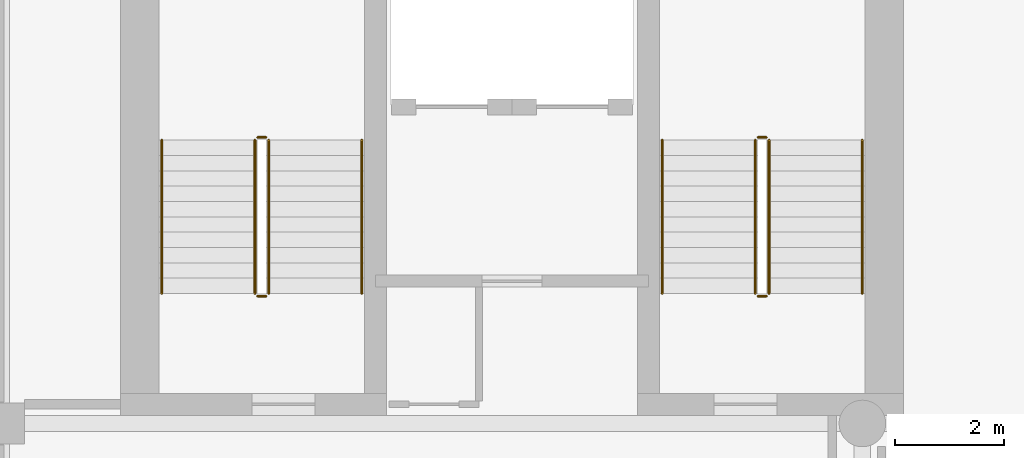
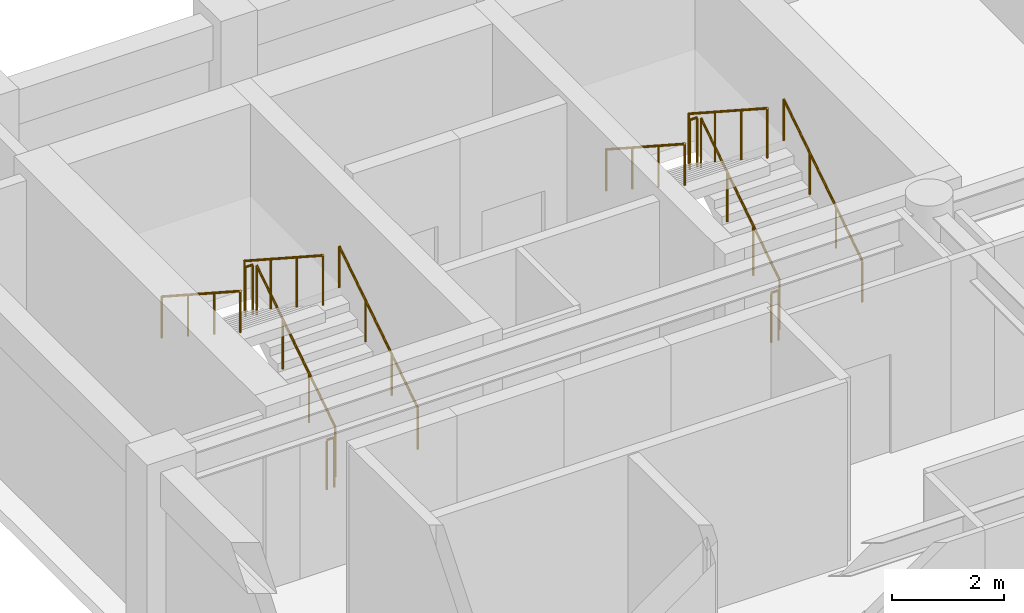
# One storey, part 7 of 8: 12 railings.
"""IFC4 building model written with IfcOpenShell, lengths in metres."""

from ifc_helpers import new_model, si_unit, direction, frame, origin, origin_2d, place, context, subcontext, project, spatial, circle, extrude, material, type_object, element, save


model = new_model("IFC4")

# Units and contexts
model_context = context("Model", 3, precision=1e-05, world=origin(), true_north=direction((0.0, 1.0)))
body_context = subcontext(model_context, "Body", "Model", "MODEL_VIEW")
ifc_project = project(units=[si_unit("LENGTHUNIT", "METRE"), si_unit("AREAUNIT", "SQUARE_METRE"), si_unit("VOLUMEUNIT", "CUBIC_METRE"), si_unit("PLANEANGLEUNIT", "RADIAN"), si_unit("MASSUNIT", "GRAM", prefix="KILO")], contexts=[model_context])

# Site, building, storey
site_placement = place(None, origin())
site = spatial("IfcSite", under=ifc_project, at=site_placement, CompositionType="ELEMENT")
building_placement = place(site_placement, origin())
building = spatial("IfcBuilding", under=site, at=building_placement, Name="Sulina Concourse Tower", CompositionType="ELEMENT")
storey_placement = place(building_placement, frame((0.0, 0.0, 222.60009765625)))
storey = spatial("IfcBuildingStorey", under=building, at=storey_placement, Name="L54", CompositionType="ELEMENT", Elevation=222.60009765625)

# Railings
ifc_material_1 = material(Name="Galvanised steel railing", Category="steel")
railing_type_1 = type_object("IfcRailingType", Name="Core Stair Steel Guardrail 1150mm", PredefinedType="GUARDRAIL", material=ifc_material_1)
railing_1_placement = place(storey_placement, frame((5.554931640625, 36.375, 0.181640625)))
element("IfcRailing", 1, at=railing_1_placement, inside=storey, type_object=railing_type_1, Name="L54 ST-1 stair guard 1", PredefinedType="GUARDRAIL", context=body_context, shape_type="SweptSolid", body=[
    extrude(circle(Radius=0.02392578125, at=origin_2d()), frame((0.0, 0.0, 1.076171875), z_axis=(0.0, 0.838672427954, 0.544636170843), x_axis=(-1.0, 0.0, 0.0)), (0.0, 0.0, 1.0), 3.338623046875),
    extrude(circle(Radius=0.02099609375, at=origin_2d()), origin(), (0.0, 0.0, 1.0), 1.052001953125),
    extrude(circle(Radius=0.02099609375, at=origin_2d()), frame((0.0, 0.933349609375, 0.606201171875)), (0.0, 0.0, 1.0), 1.052001953125),
    extrude(circle(Radius=0.02099609375, at=origin_2d()), frame((0.0, 1.86669921875, 1.212158203125)), (0.0, 0.0, 1.0), 1.052001953125),
    extrude(circle(Radius=0.02099609375, at=origin_2d()), frame((0.0, 2.800048828125, 1.818359375)), (0.0, 0.0, 1.0), 1.052001953125),
])
railing_2_placement = place(storey_placement, frame((5.5048828125, 39.22509765625, 2.0)))
element("IfcRailing", 2, at=railing_2_placement, inside=storey, type_object=railing_type_1, Name="L54 ST-1 stair guard 2", PredefinedType="GUARDRAIL", context=body_context, shape_type="SweptSolid", body=[
    extrude(circle(Radius=0.02392578125, at=origin_2d()), frame((0.0, 0.0, 1.076171875), z_axis=(-1.0, 0.0, 0.0), x_axis=(0.0, -1.0, 0.0)), (0.0, 0.0, 1.0), 0.14990234375),
    extrude(circle(Radius=0.02099609375, at=origin_2d()), origin(), (0.0, 0.0, 1.0), 1.052001953125),
    extrude(circle(Radius=0.02099609375, at=origin_2d()), frame((-0.14990234375, 0.0, 0.0)), (0.0, 0.0, 1.0), 1.052001953125),
])
railing_3_placement = place(storey_placement, frame((5.304931640625, 39.175048828125, 2.181640625)))
element("IfcRailing", 3, at=railing_3_placement, inside=storey, type_object=railing_type_1, Name="L54 ST-1 stair guard 3", PredefinedType="GUARDRAIL", context=body_context, shape_type="SweptSolid", body=[
    extrude(circle(Radius=0.02392578125, at=origin_2d()), frame((0.0, 0.0, 1.076171875), z_axis=(0.0, -0.838672427954, 0.544636170843), x_axis=(1.0, 0.0, 0.0)), (0.0, 0.0, 1.0), 3.338623046875),
    extrude(circle(Radius=0.02099609375, at=origin_2d()), origin(), (0.0, 0.0, 1.0), 1.052001953125),
    extrude(circle(Radius=0.02099609375, at=origin_2d()), frame((0.0, -0.933349609375, 0.606201171875)), (0.0, 0.0, 1.0), 1.052001953125),
    extrude(circle(Radius=0.02099609375, at=origin_2d()), frame((0.0, -1.86669921875, 1.212158203125)), (0.0, 0.0, 1.0), 1.052001953125),
    extrude(circle(Radius=0.02099609375, at=origin_2d()), frame((0.0, -2.800048828125, 1.818359375)), (0.0, 0.0, 1.0), 1.052001953125),
])
railing_4_placement = place(storey_placement, frame((5.5048828125, 36.324951171875, 0.0)))
element("IfcRailing", 4, at=railing_4_placement, inside=storey, type_object=railing_type_1, Name="L54 ST-1 stair guard 4", PredefinedType="GUARDRAIL", context=body_context, shape_type="SweptSolid", body=[
    extrude(circle(Radius=0.02392578125, at=origin_2d()), frame((0.0, 0.0, 1.076171875), z_axis=(-1.0, 0.0, 0.0), x_axis=(0.0, -1.0, 0.0)), (0.0, 0.0, 1.0), 0.14990234375),
    extrude(circle(Radius=0.02099609375, at=origin_2d()), origin(), (0.0, 0.0, 1.0), 1.052001953125),
    extrude(circle(Radius=0.02099609375, at=origin_2d()), frame((-0.14990234375, 0.0, 0.0)), (0.0, 0.0, 1.0), 1.052001953125),
])
railing_5_placement = place(storey_placement, frame((14.695068359375, 36.375, 0.181640625)))
element("IfcRailing", 5, at=railing_5_placement, inside=storey, type_object=railing_type_1, Name="L54 ST-2 stair guard 1", PredefinedType="GUARDRAIL", context=body_context, shape_type="SweptSolid", body=[
    extrude(circle(Radius=0.02392578125, at=origin_2d()), frame((0.0, 0.0, 1.076171875), z_axis=(0.0, 0.838672427954, 0.544636170843), x_axis=(-1.0, 0.0, 0.0)), (0.0, 0.0, 1.0), 3.338623046875),
    extrude(circle(Radius=0.02099609375, at=origin_2d()), origin(), (0.0, 0.0, 1.0), 1.052001953125),
    extrude(circle(Radius=0.02099609375, at=origin_2d()), frame((0.0, 0.933349609375, 0.606201171875)), (0.0, 0.0, 1.0), 1.052001953125),
    extrude(circle(Radius=0.02099609375, at=origin_2d()), frame((0.0, 1.86669921875, 1.212158203125)), (0.0, 0.0, 1.0), 1.052001953125),
    extrude(circle(Radius=0.02099609375, at=origin_2d()), frame((0.0, 2.800048828125, 1.818359375)), (0.0, 0.0, 1.0), 1.052001953125),
])
railing_6_placement = place(storey_placement, frame((14.64501953125, 39.22509765625, 2.0)))
element("IfcRailing", 6, at=railing_6_placement, inside=storey, type_object=railing_type_1, Name="L54 ST-2 stair guard 2", PredefinedType="GUARDRAIL", context=body_context, shape_type="SweptSolid", body=[
    extrude(circle(Radius=0.02392578125, at=origin_2d()), frame((0.0, 0.0, 1.076171875), z_axis=(-1.0, 0.0, 0.0), x_axis=(0.0, -1.0, 0.0)), (0.0, 0.0, 1.0), 0.14990234375),
    extrude(circle(Radius=0.02099609375, at=origin_2d()), origin(), (0.0, 0.0, 1.0), 1.052001953125),
    extrude(circle(Radius=0.02099609375, at=origin_2d()), frame((-0.14990234375, 0.0, 0.0)), (0.0, 0.0, 1.0), 1.052001953125),
])
railing_7_placement = place(storey_placement, frame((14.445068359375, 39.175048828125, 2.181640625)))
element("IfcRailing", 7, at=railing_7_placement, inside=storey, type_object=railing_type_1, Name="L54 ST-2 stair guard 3", PredefinedType="GUARDRAIL", context=body_context, shape_type="SweptSolid", body=[
    extrude(circle(Radius=0.02392578125, at=origin_2d()), frame((0.0, 0.0, 1.076171875), z_axis=(0.0, -0.838672427954, 0.544636170843), x_axis=(1.0, 0.0, 0.0)), (0.0, 0.0, 1.0), 3.338623046875),
    extrude(circle(Radius=0.02099609375, at=origin_2d()), origin(), (0.0, 0.0, 1.0), 1.052001953125),
    extrude(circle(Radius=0.02099609375, at=origin_2d()), frame((0.0, -0.933349609375, 0.606201171875)), (0.0, 0.0, 1.0), 1.052001953125),
    extrude(circle(Radius=0.02099609375, at=origin_2d()), frame((0.0, -1.86669921875, 1.212158203125)), (0.0, 0.0, 1.0), 1.052001953125),
    extrude(circle(Radius=0.02099609375, at=origin_2d()), frame((0.0, -2.800048828125, 1.818359375)), (0.0, 0.0, 1.0), 1.052001953125),
])
railing_8_placement = place(storey_placement, frame((14.64501953125, 36.324951171875, 0.0)))
element("IfcRailing", 8, at=railing_8_placement, inside=storey, type_object=railing_type_1, Name="L54 ST-2 stair guard 4", PredefinedType="GUARDRAIL", context=body_context, shape_type="SweptSolid", body=[
    extrude(circle(Radius=0.02392578125, at=origin_2d()), frame((0.0, 0.0, 1.076171875), z_axis=(-1.0, 0.0, 0.0), x_axis=(0.0, -1.0, 0.0)), (0.0, 0.0, 1.0), 0.14990234375),
    extrude(circle(Radius=0.02099609375, at=origin_2d()), origin(), (0.0, 0.0, 1.0), 1.052001953125),
    extrude(circle(Radius=0.02099609375, at=origin_2d()), frame((-0.14990234375, 0.0, 0.0)), (0.0, 0.0, 1.0), 1.052001953125),
])
ifc_material_2 = material(Name="Galvanised steel railing", Category="steel")
railing_type_2 = type_object("IfcRailingType", Name="Stair Wall Steel Handrail 920mm", PredefinedType="HANDRAIL", material=ifc_material_2)
railing_9_placement = place(storey_placement, frame((7.2548828125, 36.375, 0.181640625)))
element("IfcRailing", 9, at=railing_9_placement, inside=storey, type_object=railing_type_2, Name="L54 ST-1 stair handrail 1", PredefinedType="HANDRAIL", context=body_context, shape_type="SweptSolid", body=[
    extrude(circle(Radius=0.02392578125, at=origin_2d()), frame((0.0, 0.0, 0.89599609375), z_axis=(0.0, 0.838672427954, 0.544636170843), x_axis=(-1.0, 0.0, 0.0)), (0.0, 0.0, 1.0), 3.338623046875),
    extrude(circle(Radius=0.02099609375, at=origin_2d()), origin(), (0.0, 0.0, 1.0), 0.871826171875),
    extrude(circle(Radius=0.02099609375, at=origin_2d()), frame((0.0, 0.933349609375, 0.606201171875)), (0.0, 0.0, 1.0), 0.871826171875),
    extrude(circle(Radius=0.02099609375, at=origin_2d()), frame((0.0, 1.86669921875, 1.212158203125)), (0.0, 0.0, 1.0), 0.871826171875),
    extrude(circle(Radius=0.02099609375, at=origin_2d()), frame((0.0, 2.800048828125, 1.818359375)), (0.0, 0.0, 1.0), 0.871826171875),
])
railing_10_placement = place(storey_placement, frame((3.60498046875, 39.175048828125, 2.181640625)))
element("IfcRailing", 10, at=railing_10_placement, inside=storey, type_object=railing_type_2, Name="L54 ST-1 stair handrail 2", PredefinedType="HANDRAIL", context=body_context, shape_type="SweptSolid", body=[
    extrude(circle(Radius=0.02392578125, at=origin_2d()), frame((0.0, 0.0, 0.89599609375), z_axis=(0.0, -0.838672427954, 0.544636170843), x_axis=(1.0, 0.0, 0.0)), (0.0, 0.0, 1.0), 3.338623046875),
    extrude(circle(Radius=0.02099609375, at=origin_2d()), origin(), (0.0, 0.0, 1.0), 0.871826171875),
    extrude(circle(Radius=0.02099609375, at=origin_2d()), frame((0.0, -0.933349609375, 0.606201171875)), (0.0, 0.0, 1.0), 0.871826171875),
    extrude(circle(Radius=0.02099609375, at=origin_2d()), frame((0.0, -1.86669921875, 1.212158203125)), (0.0, 0.0, 1.0), 0.871826171875),
    extrude(circle(Radius=0.02099609375, at=origin_2d()), frame((0.0, -2.800048828125, 1.818359375)), (0.0, 0.0, 1.0), 0.871826171875),
])
railing_11_placement = place(storey_placement, frame((16.39501953125, 36.375, 0.181640625)))
element("IfcRailing", 11, at=railing_11_placement, inside=storey, type_object=railing_type_2, Name="L54 ST-2 stair handrail 1", PredefinedType="HANDRAIL", context=body_context, shape_type="SweptSolid", body=[
    extrude(circle(Radius=0.02392578125, at=origin_2d()), frame((0.0, 0.0, 0.89599609375), z_axis=(0.0, 0.838672427954, 0.544636170843), x_axis=(-1.0, 0.0, 0.0)), (0.0, 0.0, 1.0), 3.338623046875),
    extrude(circle(Radius=0.02099609375, at=origin_2d()), origin(), (0.0, 0.0, 1.0), 0.871826171875),
    extrude(circle(Radius=0.02099609375, at=origin_2d()), frame((0.0, 0.933349609375, 0.606201171875)), (0.0, 0.0, 1.0), 0.871826171875),
    extrude(circle(Radius=0.02099609375, at=origin_2d()), frame((0.0, 1.86669921875, 1.212158203125)), (0.0, 0.0, 1.0), 0.871826171875),
    extrude(circle(Radius=0.02099609375, at=origin_2d()), frame((0.0, 2.800048828125, 1.818359375)), (0.0, 0.0, 1.0), 0.871826171875),
])
railing_12_placement = place(storey_placement, frame((12.7451171875, 39.175048828125, 2.181640625)))
element("IfcRailing", 12, at=railing_12_placement, inside=storey, type_object=railing_type_2, Name="L54 ST-2 stair handrail 2", PredefinedType="HANDRAIL", context=body_context, shape_type="SweptSolid", body=[
    extrude(circle(Radius=0.02392578125, at=origin_2d()), frame((0.0, 0.0, 0.89599609375), z_axis=(0.0, -0.838672427954, 0.544636170843), x_axis=(1.0, 0.0, 0.0)), (0.0, 0.0, 1.0), 3.338623046875),
    extrude(circle(Radius=0.02099609375, at=origin_2d()), origin(), (0.0, 0.0, 1.0), 0.871826171875),
    extrude(circle(Radius=0.02099609375, at=origin_2d()), frame((0.0, -0.933349609375, 0.606201171875)), (0.0, 0.0, 1.0), 0.871826171875),
    extrude(circle(Radius=0.02099609375, at=origin_2d()), frame((0.0, -1.86669921875, 1.212158203125)), (0.0, 0.0, 1.0), 0.871826171875),
    extrude(circle(Radius=0.02099609375, at=origin_2d()), frame((0.0, -2.800048828125, 1.818359375)), (0.0, 0.0, 1.0), 0.871826171875),
])

save(model, "model.ifc")
